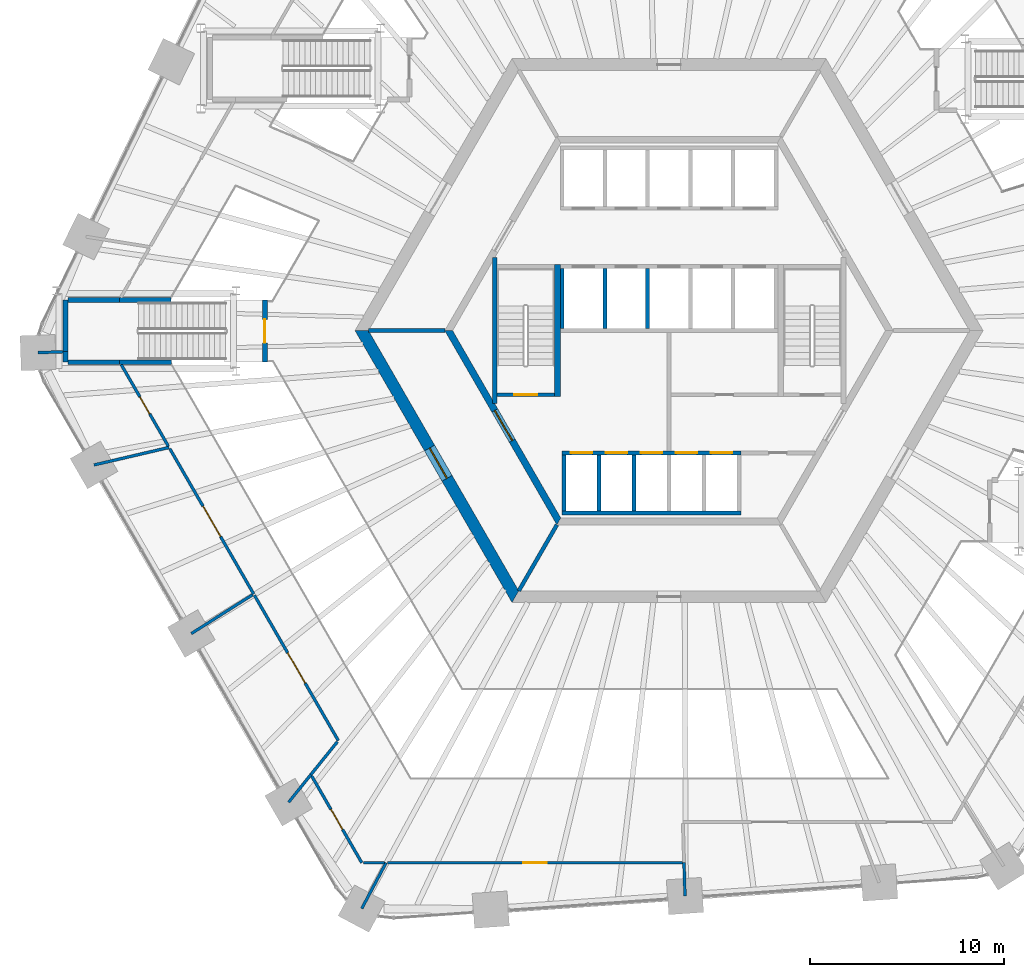
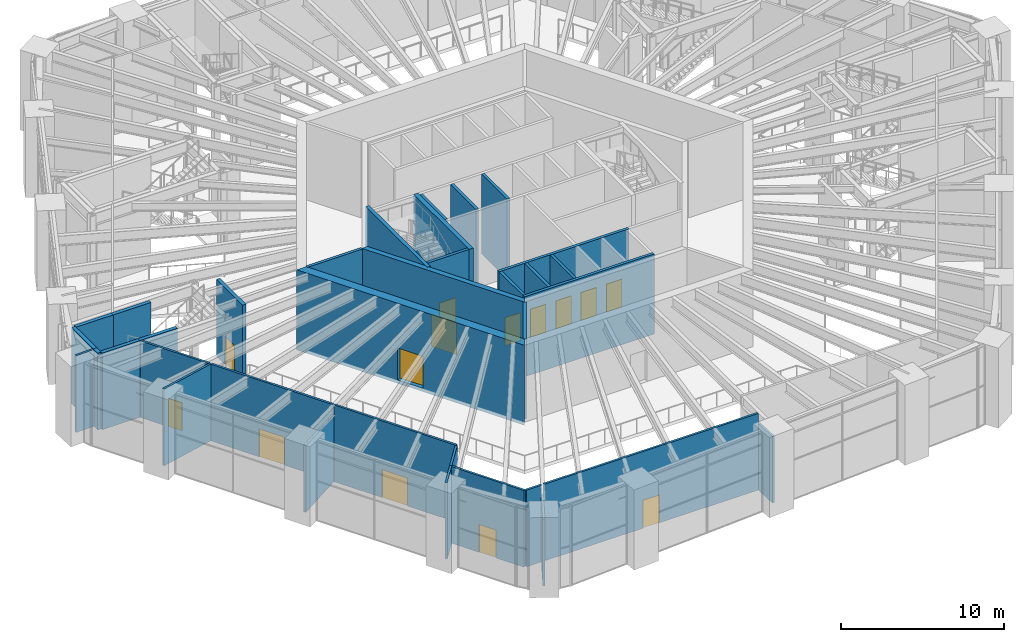
# One storey, part 21 of 32: 35 walls, 14 doors, 14 openings.
"""IFC4 building model written with IfcOpenShell, lengths in metres."""

from ifc_helpers import new_model, si_unit, direction, frame, frame_2d, origin, place, context, subcontext, project, spatial, polyline, rectangle, outline, extrude, material, layer, layer_set, type_object, element, fill, save


model = new_model("IFC4")

# Units and contexts
model_context = context("Model", 3, precision=1e-05, world=origin(), true_north=direction((0.0, 1.0)))
body_context = subcontext(model_context, "Body", "Model", "MODEL_VIEW")
ifc_project = project(units=[si_unit("LENGTHUNIT", "METRE"), si_unit("AREAUNIT", "SQUARE_METRE"), si_unit("VOLUMEUNIT", "CUBIC_METRE"), si_unit("PLANEANGLEUNIT", "RADIAN"), si_unit("MASSUNIT", "GRAM", prefix="KILO")], contexts=[model_context])

# Site, building, storey
site_placement = place(None, origin())
site = spatial("IfcSite", under=ifc_project, at=site_placement, CompositionType="ELEMENT")
building_placement = place(site_placement, origin())
building = spatial("IfcBuilding", under=site, at=building_placement, Name="Tarnside Tower", CompositionType="ELEMENT")
storey_placement = place(building_placement, frame((0.0, 0.0, 9.0)))
storey = spatial("IfcBuildingStorey", under=building, at=storey_placement, Name="L01", CompositionType="ELEMENT", Elevation=9.0)

# Wall, opening, door
ifc_material_1 = material(Name="Concrete C50/60", Category="concrete")
ifc_layer_1 = layer(ifc_material_1, 0.35009765625)
ifc_layer_set_1 = layer_set([ifc_layer_1], Name="Core block wall 350 C50/60")
wall_type_1 = type_object("IfcWallType", Name="Core block wall 350 C50/60", PredefinedType="SHEAR", material=ifc_layer_set_1)
wall_1_placement = place(storey_placement, frame((-11.344970703125, 0.0, -0.25), z_axis=(0.0, 0.0, 1.0), x_axis=(0.499995046907, -0.866028263435, 0.0)))
wall_1 = element("IfcWall", 1, at=wall_1_placement, inside=storey, type_object=wall_type_1, Name="L01 core block wall face 3", PredefinedType="SHEAR", context=body_context, shape_type="SweptSolid", body=[
    extrude(outline(polyline([(-0.10107421875, -0.175048828125), (11.44580078125, -0.175048828125), (11.24365234375, 0.175048828125), (0.10107421875, 0.175048828125), (-0.10107421875, -0.175048828125)])), origin(), (0.0, 0.0, 1.0), 6.0),
])
opening_1_placement = place(wall_1_placement, frame((4.74365234375, 0.0, 0.25)))
opening_1 = element("IfcOpeningElement", 2, at=opening_1_placement, cuts=wall_1, Name="Opening CD-FFL", PredefinedType="OPENING", context=body_context, shape_type="SweptSolid", body=[
    extrude(rectangle(XDim=1.800048828125, YDim=2.39990234375, at=frame_2d((0.89990234375, 1.199951171875))), frame((0.0, 0.18505859375, 0.0), z_axis=(0.0, -1.0, 0.0), x_axis=(1.0, 0.0, 0.0)), (0.0, 0.0, 1.0), 0.3701171875),
])
ifc_material_2 = material(Name="Steel fire door", Category="steel")
door_type_1 = type_object("IfcDoorType", Name="Firefighting lobby double door FD60S 1800x2400", OperationType="NOTDEFINED", PredefinedType="DOOR", material=ifc_material_2)
door_1_placement = place(opening_1_placement, origin())
door_1 = element("IfcDoor", 3, at=door_1_placement, inside=storey, type_object=door_type_1, Name="L01 lobby block door P3", OperationType="DOUBLE_DOOR_SINGLE_SWING", OverallHeight=2.39990234375, OverallWidth=1.800048828125, PredefinedType="DOOR", context=body_context, shape_type="SweptSolid", body=[
    extrude(rectangle(XDim=1.800048828125, YDim=2.39990234375, at=frame_2d((0.89990234375, 1.199951171875))), frame((0.0, 0.02490234375, 0.0), z_axis=(0.0, -1.0, 0.0), x_axis=(1.0, 0.0, 0.0)), (0.0, 0.0, 1.0), 0.050048828125),
])
fill(opening_1, door_1)

ifc_material_3 = material(Name="Concrete C80/95", Category="concrete")
ifc_layer_2 = layer(ifc_material_3, 0.60009765625)
ifc_layer_set_2 = layer_set([ifc_layer_2], Name="Core wall Z1 600 C80/95")
wall_type_2 = type_object("IfcWallType", Name="Core wall Z1 600 C80/95", PredefinedType="SHEAR", material=ifc_layer_set_2)
wall_2_placement = place(storey_placement, frame((-15.8193359375, 0.0, -0.25), z_axis=(0.0, 0.0, 1.0), x_axis=(0.499999880136, -0.866025472988, 0.0)))
wall_2 = element("IfcWall", 4, at=wall_2_placement, inside=storey, type_object=wall_type_2, Name="L01 core wall face 3", PredefinedType="SHEAR", context=body_context, shape_type="SweptSolid", body=[
    extrude(outline(polyline([(-0.17333984375, -0.300048828125), (15.99267578125, -0.300048828125), (15.64599609375, 0.300048828125), (0.17333984375, 0.300048828125), (-0.17333984375, -0.300048828125)])), origin(), (0.0, 0.0, 1.0), 6.0),
])
opening_2_placement = place(wall_2_placement, frame((6.980712890625, 0.0, 0.25)))
opening_2 = element("IfcOpeningElement", 5, at=opening_2_placement, cuts=wall_2, Name="Opening CD-FFL", PredefinedType="OPENING", context=body_context, shape_type="SweptSolid", body=[
    extrude(rectangle(XDim=1.800048828125, YDim=2.39990234375, at=frame_2d((0.89990234375, 1.199951171875))), frame((0.0, 0.31005859375, 0.0), z_axis=(0.0, -1.0, 0.0), x_axis=(1.0, 0.0, 0.0)), (0.0, 0.0, 1.0), 0.6201171875),
])
door_2_placement = place(opening_2_placement, origin())
door_2 = element("IfcDoor", 6, at=door_2_placement, inside=storey, type_object=door_type_1, Name="L01 core door P3", OperationType="DOUBLE_DOOR_SINGLE_SWING", OverallHeight=2.39990234375, OverallWidth=1.800048828125, PredefinedType="DOOR", context=body_context, shape_type="SweptSolid", body=[
    extrude(rectangle(XDim=1.800048828125, YDim=2.39990234375, at=frame_2d((0.89990234375, 1.199951171875))), frame((0.0, 0.02490234375, 0.0), z_axis=(0.0, -1.0, 0.0), x_axis=(1.0, 0.0, 0.0)), (0.0, 0.0, 1.0), 0.050048828125),
])
fill(opening_2, door_2)

# Walls
ifc_material_4 = material(Name="Concrete C40/50", Category="concrete")
ifc_layer_3 = layer(ifc_material_4, 0.199951171875)
ifc_layer_set_3 = layer_set([ifc_layer_3], Name="Lift shaft wall 200 C40/50")
wall_type_3 = type_object("IfcWallType", Name="Lift shaft wall 200 C40/50", PredefinedType="SHEAR", material=ifc_layer_set_3)
for number, where, z_axis, x_axis, name in (
    (7, (-5.5, 0.10009765625, -0.25), (0.0, 0.0, 1.0), (0.0, 1.0, 0.0), "L01 lift shaft partition R21"),
    (8, (-3.300048828125, 0.10009765625, -0.25), (0.0, 0.0, 1.0), (0.0, 1.0, 0.0), "L01 lift shaft partition R22"),
    (9, (-1.10009765625, 0.10009765625, -0.25), (0.0, 0.0, 1.0), (0.0, 1.0, 0.0), "L01 lift shaft partition R23"),
):
    element("IfcWall", number, at=place(storey_placement, frame(where, z_axis=z_axis, x_axis=x_axis)), inside=storey, type_object=wall_type_3, Name=name, PredefinedType="SHEAR", context=body_context, shape_type="SweptSolid", body=[
        extrude(rectangle(XDim=3.099853515625, YDim=0.199951171875, at=frame_2d((1.5498046875, 0.0))), origin(), (0.0, 0.0, 1.0), 6.0),
    ])

# Wall, openings, doors
wall_3_placement = place(storey_placement, frame((-5.5, -6.300048828125, -0.25), z_axis=(0.0, 0.0, 1.0), x_axis=(1.0, 0.0, 0.0)))
wall_3 = element("IfcWall", 10, at=wall_3_placement, inside=storey, type_object=wall_type_3, Name="L01 lift shaft front wall R4", PredefinedType="SHEAR", context=body_context, shape_type="SweptSolid", body=[
    extrude(rectangle(XDim=9.199951171875, YDim=0.199951171875, at=frame_2d((4.60009765625, 0.0))), origin(), (0.0, 0.0, 1.0), 6.0),
])
opening_3_placement = place(wall_3_placement, frame((0.449951171875, 0.0, 0.25)))
opening_3 = element("IfcOpeningElement", 11, at=opening_3_placement, cuts=wall_3, Name="Opening LDF", PredefinedType="OPENING", context=body_context, shape_type="SweptSolid", body=[
    extrude(rectangle(XDim=1.10009765625, YDim=2.10009765625, at=frame_2d((0.550048828125, 1.050048828125))), frame((0.0, 0.10986328125, 0.0), z_axis=(0.0, -1.0, 0.0), x_axis=(1.0, 0.0, 0.0)), (0.0, 0.0, 1.0), 0.219970703125),
])
opening_4_placement = place(wall_3_placement, frame((2.25, 0.0, 0.25)))
opening_4 = element("IfcOpeningElement", 12, at=opening_4_placement, cuts=wall_3, Name="Opening LDF", PredefinedType="OPENING", context=body_context, shape_type="SweptSolid", body=[
    extrude(rectangle(XDim=1.10009765625, YDim=2.10009765625, at=frame_2d((0.550048828125, 1.050048828125))), frame((0.0, 0.10986328125, 0.0), z_axis=(0.0, -1.0, 0.0), x_axis=(1.0, 0.0, 0.0)), (0.0, 0.0, 1.0), 0.219970703125),
])
opening_5_placement = place(wall_3_placement, frame((4.050048828125, 0.0, 0.25)))
opening_5 = element("IfcOpeningElement", 13, at=opening_5_placement, cuts=wall_3, Name="Opening LDF", PredefinedType="OPENING", context=body_context, shape_type="SweptSolid", body=[
    extrude(rectangle(XDim=1.10009765625, YDim=2.10009765625, at=frame_2d((0.550048828125, 1.050048828125))), frame((0.0, 0.10986328125, 0.0), z_axis=(0.0, -1.0, 0.0), x_axis=(1.0, 0.0, 0.0)), (0.0, 0.0, 1.0), 0.219970703125),
])
opening_6_placement = place(wall_3_placement, frame((5.85009765625, 0.0, 0.25)))
opening_6 = element("IfcOpeningElement", 14, at=opening_6_placement, cuts=wall_3, Name="Opening LDF", PredefinedType="OPENING", context=body_context, shape_type="SweptSolid", body=[
    extrude(rectangle(XDim=1.10009765625, YDim=2.10009765625, at=frame_2d((0.550048828125, 1.050048828125))), frame((0.0, 0.10986328125, 0.0), z_axis=(0.0, -1.0, 0.0), x_axis=(1.0, 0.0, 0.0)), (0.0, 0.0, 1.0), 0.219970703125),
])
opening_7_placement = place(wall_3_placement, frame((7.64990234375, 0.0, 0.25)))
opening_7 = element("IfcOpeningElement", 15, at=opening_7_placement, cuts=wall_3, Name="Opening LDF", PredefinedType="OPENING", context=body_context, shape_type="SweptSolid", body=[
    extrude(rectangle(XDim=1.10009765625, YDim=2.10009765625, at=frame_2d((0.550048828125, 1.050048828125))), frame((0.0, 0.10986328125, 0.0), z_axis=(0.0, -1.0, 0.0), x_axis=(1.0, 0.0, 0.0)), (0.0, 0.0, 1.0), 0.219970703125),
])
ifc_material_5 = material(Name="Stainless steel", Category="steel")
door_type_2 = type_object("IfcDoorType", Name="Lift landing door 1100x2100 EI 120", OperationType="NOTDEFINED", PredefinedType="DOOR", material=ifc_material_5)
door_3_placement = place(opening_3_placement, origin())
door_3 = element("IfcDoor", 16, at=door_3_placement, inside=storey, type_object=door_type_2, Name="Firefighting lift 1 landing door L01", OperationType="SLIDING_TO_LEFT", OverallHeight=2.10009765625, OverallWidth=1.10009765625, PredefinedType="DOOR", context=body_context, shape_type="SweptSolid", body=[
    extrude(rectangle(XDim=1.10009765625, YDim=2.10009765625, at=frame_2d((0.550048828125, 1.050048828125))), frame((0.0, 0.02490234375, 0.0), z_axis=(0.0, -1.0, 0.0), x_axis=(1.0, 0.0, 0.0)), (0.0, 0.0, 1.0), 0.050048828125),
])
fill(opening_3, door_3)
door_4_placement = place(opening_4_placement, origin())
door_4 = element("IfcDoor", 17, at=door_4_placement, inside=storey, type_object=door_type_2, Name="Firefighting lift 2 landing door L01", OperationType="SLIDING_TO_LEFT", OverallHeight=2.10009765625, OverallWidth=1.10009765625, PredefinedType="DOOR", context=body_context, shape_type="SweptSolid", body=[
    extrude(rectangle(XDim=1.10009765625, YDim=2.10009765625, at=frame_2d((0.550048828125, 1.050048828125))), frame((0.0, 0.02490234375, 0.0), z_axis=(0.0, -1.0, 0.0), x_axis=(1.0, 0.0, 0.0)), (0.0, 0.0, 1.0), 0.050048828125),
])
fill(opening_4, door_4)
door_5_placement = place(opening_5_placement, origin())
door_5 = element("IfcDoor", 18, at=door_5_placement, inside=storey, type_object=door_type_2, Name="Firefighting lift 3 landing door L01", OperationType="SLIDING_TO_LEFT", OverallHeight=2.10009765625, OverallWidth=1.10009765625, PredefinedType="DOOR", context=body_context, shape_type="SweptSolid", body=[
    extrude(rectangle(XDim=1.10009765625, YDim=2.10009765625, at=frame_2d((0.550048828125, 1.050048828125))), frame((0.0, 0.02490234375, 0.0), z_axis=(0.0, -1.0, 0.0), x_axis=(1.0, 0.0, 0.0)), (0.0, 0.0, 1.0), 0.050048828125),
])
fill(opening_5, door_5)
door_6_placement = place(opening_6_placement, origin())
door_6 = element("IfcDoor", 19, at=door_6_placement, inside=storey, type_object=door_type_2, Name="Firefighting lift 4 landing door L01", OperationType="SLIDING_TO_LEFT", OverallHeight=2.10009765625, OverallWidth=1.10009765625, PredefinedType="DOOR", context=body_context, shape_type="SweptSolid", body=[
    extrude(rectangle(XDim=1.10009765625, YDim=2.10009765625, at=frame_2d((0.550048828125, 1.050048828125))), frame((0.0, 0.02490234375, 0.0), z_axis=(0.0, -1.0, 0.0), x_axis=(1.0, 0.0, 0.0)), (0.0, 0.0, 1.0), 0.050048828125),
])
fill(opening_6, door_6)
door_7_placement = place(opening_7_placement, origin())
door_7 = element("IfcDoor", 20, at=door_7_placement, inside=storey, type_object=door_type_2, Name="Firefighting lift 5 landing door L01", OperationType="SLIDING_TO_LEFT", OverallHeight=2.10009765625, OverallWidth=1.10009765625, PredefinedType="DOOR", context=body_context, shape_type="SweptSolid", body=[
    extrude(rectangle(XDim=1.10009765625, YDim=2.10009765625, at=frame_2d((0.550048828125, 1.050048828125))), frame((0.0, 0.02490234375, 0.0), z_axis=(0.0, -1.0, 0.0), x_axis=(1.0, 0.0, 0.0)), (0.0, 0.0, 1.0), 0.050048828125),
])
fill(opening_7, door_7)

# Walls
wall_4_placement = place(storey_placement, frame((-5.5, -9.39990234375, -0.25), z_axis=(0.0, 0.0, 1.0), x_axis=(1.0, 0.0, 0.0)))
element("IfcWall", 21, at=wall_4_placement, inside=storey, type_object=wall_type_3, Name="L01 lift shaft back wall R4", PredefinedType="SHEAR", context=body_context, shape_type="SweptSolid", body=[
    extrude(rectangle(XDim=9.199951171875, YDim=0.199951171875, at=frame_2d((4.60009765625, 0.0))), origin(), (0.0, 0.0, 1.0), 6.0),
])
for number, where, z_axis, x_axis, name in (
    (22, (-5.39990234375, -9.300048828125, -0.25), (0.0, 0.0, 1.0), (0.0, 1.0, 0.0), "L01 lift shaft partition R41"),
    (23, (-3.60009765625, -9.300048828125, -0.25), (0.0, 0.0, 1.0), (0.0, 1.0, 0.0), "L01 lift shaft partition R42"),
    (24, (-1.800048828125, -9.300048828125, -0.25), (0.0, 0.0, 1.0), (0.0, 1.0, 0.0), "L01 lift shaft partition R43"),
):
    element("IfcWall", number, at=place(storey_placement, frame(where, z_axis=z_axis, x_axis=x_axis)), inside=storey, type_object=wall_type_3, Name=name, PredefinedType="SHEAR", context=body_context, shape_type="SweptSolid", body=[
        extrude(rectangle(XDim=2.900146484375, YDim=0.199951171875, at=frame_2d((1.4501953125, 0.0))), origin(), (0.0, 0.0, 1.0), 6.0),
    ])
wall_5_placement = place(storey_placement, frame((-11.547119140625, 0.0, -0.25), z_axis=(0.0, 0.0, 1.0), x_axis=(-1.0, 0.0, 0.0)))
element("IfcWall", 25, at=wall_5_placement, inside=storey, type_object=wall_type_3, Name="L01 core partition AR180", PredefinedType="SHEAR", context=body_context, shape_type="SweptSolid", body=[
    extrude(rectangle(XDim=3.92578125, YDim=0.199951171875, at=frame_2d((1.962890625, 0.0))), origin(), (0.0, 0.0, 1.0), 6.0),
])
wall_6_placement = place(storey_placement, frame((-5.7734375, -10.0, -0.25), z_axis=(0.0, 0.0, 1.0), x_axis=(-0.500038251005, -0.86600331843, 0.0)))
element("IfcWall", 26, at=wall_6_placement, inside=storey, type_object=wall_type_3, Name="L01 core partition AR240", PredefinedType="SHEAR", context=body_context, shape_type="SweptSolid", body=[
    extrude(rectangle(XDim=3.926025390625, YDim=0.199951171875, at=frame_2d((1.962890625, 0.0))), origin(), (0.0, 0.0, 1.0), 6.0),
])

# Wall, opening, door
wall_7_placement = place(storey_placement, frame((-8.85009765625, -3.300048828125, -0.25), z_axis=(0.0, 0.0, 1.0), x_axis=(1.0, 0.0, 0.0)))
wall_7 = element("IfcWall", 27, at=wall_7_placement, inside=storey, type_object=wall_type_3, Name="L01 stair 2 enclosure cap wall s", PredefinedType="SHEAR", context=body_context, shape_type="SweptSolid", body=[
    extrude(rectangle(XDim=2.9501953125, YDim=0.199951171875, at=frame_2d((1.47509765625, 0.0))), origin(), (0.0, 0.0, 1.0), 6.0),
])
opening_8_placement = place(wall_7_placement, frame((0.875, 0.0, 0.25)))
opening_8 = element("IfcOpeningElement", 28, at=opening_8_placement, cuts=wall_7, Name="Opening CD-STR", PredefinedType="OPENING", context=body_context, shape_type="SweptSolid", body=[
    extrude(rectangle(XDim=1.199951171875, YDim=2.39990234375, at=frame_2d((0.60009765625, 1.199951171875))), frame((0.0, 0.10986328125, 0.0), z_axis=(0.0, -1.0, 0.0), x_axis=(1.0, 0.0, 0.0)), (0.0, 0.0, 1.0), 0.219970703125),
])
door_type_3 = type_object("IfcDoorType", Name="Stair door FD60S 1200x2400", OperationType="NOTDEFINED", PredefinedType="DOOR", material=ifc_material_2)
door_8_placement = place(opening_8_placement, origin())
door_8 = element("IfcDoor", 29, at=door_8_placement, inside=storey, type_object=door_type_3, Name="L01 stair 2 door", OperationType="SINGLE_SWING_LEFT", OverallHeight=2.39990234375, OverallWidth=1.199951171875, PredefinedType="DOOR", context=body_context, shape_type="SweptSolid", body=[
    extrude(rectangle(XDim=1.199951171875, YDim=2.39990234375, at=frame_2d((0.60009765625, 1.199951171875))), frame((0.0, 0.02490234375, 0.0), z_axis=(0.0, -1.0, 0.0), x_axis=(1.0, 0.0, 0.0)), (0.0, 0.0, 1.0), 0.050048828125),
])
fill(opening_8, door_8)

# Walls
ifc_material_6 = material(Name="Gypsum board")
ifc_layer_4 = layer(ifc_material_6, 0.14990234375)
ifc_layer_set_4 = layer_set([ifc_layer_4], Name="Partition 150 gypsum board on metal stud")
wall_type_4 = type_object("IfcWallType", Name="Partition 150 gypsum board on metal stud", PredefinedType="PARTITIONING", material=ifc_layer_set_4)
wall_8_placement = place(storey_placement, frame((-32.486083984375, -1.134033203125, 0.0), z_axis=(0.0, 0.0, 1.0), x_axis=(0.99939717978, 0.034717100209, 0.0)))
element("IfcWall", 30, at=wall_8_placement, inside=storey, type_object=wall_type_4, Name="Partition 000", PredefinedType="PARTITIONING", context=body_context, shape_type="SweptSolid", body=[
    extrude(rectangle(XDim=1.286865234375, YDim=0.14990234375, at=frame_2d((0.6435546875, 0.0))), origin(), (0.0, 0.0, 1.0), 5.75),
])
wall_9_placement = place(storey_placement, frame((-29.60791015625, -6.91796875, 0.0), z_axis=(0.0, 0.0, 1.0), x_axis=(0.97379720247, 0.227418135737, 0.0)))
element("IfcWall", 31, at=wall_9_placement, inside=storey, type_object=wall_type_4, Name="Partition 005", PredefinedType="PARTITIONING", context=body_context, shape_type="SweptSolid", body=[
    extrude(rectangle(XDim=3.970947265625, YDim=0.14990234375, at=frame_2d((1.9853515625, 0.0))), origin(), (0.0, 0.0, 1.0), 5.75),
])

# Wall, opening, door
wall_10_placement = place(storey_placement, frame((-25.7802734375, -5.947021484375, 0.0), z_axis=(0.0, 0.0, 1.0), x_axis=(-0.500066928074, 0.865986759395, 0.0)))
wall_10 = element("IfcWall", 32, at=wall_10_placement, inside=storey, type_object=wall_type_4, Name="Partition 007", PredefinedType="PARTITIONING", context=body_context, shape_type="SweptSolid", body=[
    extrude(rectangle(XDim=4.846435546875, YDim=0.14990234375, at=frame_2d((2.42333984375, 0.0))), origin(), (0.0, 0.0, 1.0), 5.75),
])
opening_9_placement = place(wall_10_placement, frame((1.92333984375, 0.0, 0.0)))
opening_9 = element("IfcOpeningElement", 33, at=opening_9_placement, cuts=wall_10, Name="Opening D1000", PredefinedType="OPENING", context=body_context, shape_type="SweptSolid", body=[
    extrude(rectangle(XDim=1.0, YDim=2.10009765625, at=frame_2d((0.5, 1.050048828125))), frame((0.0, 0.0849609375, 0.0), z_axis=(0.0, -1.0, 0.0), x_axis=(1.0, 0.0, 0.0)), (0.0, 0.0, 1.0), 0.169921875),
])
ifc_material_7 = material(Name="Timber door leaf", Category="wood")
door_type_4 = type_object("IfcDoorType", Name="Door 1000 x 2100 single leaf", OperationType="NOTDEFINED", PredefinedType="DOOR", material=ifc_material_7)
door_9_placement = place(opening_9_placement, origin())
door_9 = element("IfcDoor", 34, at=door_9_placement, inside=storey, type_object=door_type_4, Name="Door L01-01", OperationType="SINGLE_SWING_RIGHT", OverallHeight=2.10009765625, OverallWidth=1.0, PredefinedType="DOOR", context=body_context, shape_type="SweptSolid", body=[
    extrude(rectangle(XDim=1.0, YDim=2.10009765625, at=frame_2d((0.5, 1.050048828125))), frame((0.0, 0.02490234375, 0.0), z_axis=(0.0, -1.0, 0.0), x_axis=(1.0, 0.0, 0.0)), (0.0, 0.0, 1.0), 0.050048828125),
])
fill(opening_9, door_9)

wall_11_placement = place(storey_placement, frame((-21.384033203125, -13.56201171875, 0.0), z_axis=(0.0, 0.0, 1.0), x_axis=(-0.499976136806, 0.866039180768, 0.0)))
wall_11 = element("IfcWall", 35, at=wall_11_placement, inside=storey, type_object=wall_type_4, Name="Partition 010", PredefinedType="PARTITIONING", context=body_context, shape_type="SweptSolid", body=[
    extrude(rectangle(XDim=8.63623046875, YDim=0.14990234375, at=frame_2d((4.318115234375, 0.0))), origin(), (0.0, 0.0, 1.0), 5.75),
])
opening_10_placement = place(wall_11_placement, frame((3.41796875, 0.0, 0.0)))
opening_10 = element("IfcOpeningElement", 36, at=opening_10_placement, cuts=wall_11, Name="Opening D1800F30", PredefinedType="OPENING", context=body_context, shape_type="SweptSolid", body=[
    extrude(rectangle(XDim=1.800048828125, YDim=2.10009765625, at=frame_2d((0.89990234375, 1.050048828125))), frame((0.0, 0.0849609375, 0.0), z_axis=(0.0, -1.0, 0.0), x_axis=(1.0, 0.0, 0.0)), (0.0, 0.0, 1.0), 0.169921875),
])
door_type_5 = type_object("IfcDoorType", Name="Door pair 1800 x 2100 FD30S fire door", OperationType="NOTDEFINED", PredefinedType="DOOR", material=ifc_material_7)
door_10_placement = place(opening_10_placement, origin())
door_10 = element("IfcDoor", 37, at=door_10_placement, inside=storey, type_object=door_type_5, Name="Door L01-03", OperationType="DOUBLE_DOOR_SINGLE_SWING", OverallHeight=2.10009765625, OverallWidth=1.800048828125, PredefinedType="DOOR", context=body_context, shape_type="SweptSolid", body=[
    extrude(rectangle(XDim=1.800048828125, YDim=2.10009765625, at=frame_2d((0.89990234375, 1.050048828125))), frame((0.0, 0.02490234375, 0.0), z_axis=(0.0, -1.0, 0.0), x_axis=(1.0, 0.0, 0.0)), (0.0, 0.0, 1.0), 0.050048828125),
])
fill(opening_10, door_10)

# Wall
wall_12_placement = place(storey_placement, frame((-24.595947265625, -15.59912109375, 0.0), z_axis=(0.0, 0.0, 1.0), x_axis=(0.84447751604, 0.535591005249, 0.0)))
element("IfcWall", 38, at=wall_12_placement, inside=storey, type_object=wall_type_4, Name="Partition 012", PredefinedType="PARTITIONING", context=body_context, shape_type="SweptSolid", body=[
    extrude(rectangle(XDim=3.728271484375, YDim=0.14990234375, at=frame_2d((1.8642578125, 0.0))), origin(), (0.0, 0.0, 1.0), 4.99609375),
])

# Wall, opening, door
wall_13_placement = place(storey_placement, frame((-17.027099609375, -21.10888671875, 0.0), z_axis=(0.0, 0.0, 1.0), x_axis=(-0.499968708895, 0.866043468958, 0.0)))
wall_13 = element("IfcWall", 39, at=wall_13_placement, inside=storey, type_object=wall_type_4, Name="Partition 017", PredefinedType="PARTITIONING", context=body_context, shape_type="SweptSolid", body=[
    extrude(rectangle(XDim=8.63916015625, YDim=0.14990234375, at=frame_2d((4.319580078125, 0.0))), origin(), (0.0, 0.0, 1.0), 5.75),
])
opening_11_placement = place(wall_13_placement, frame((3.419677734375, 0.0, 0.0)))
opening_11 = element("IfcOpeningElement", 40, at=opening_11_placement, cuts=wall_13, Name="Opening D1800F30", PredefinedType="OPENING", context=body_context, shape_type="SweptSolid", body=[
    extrude(rectangle(XDim=1.800048828125, YDim=2.10009765625, at=frame_2d((0.89990234375, 1.050048828125))), frame((0.0, 0.0849609375, 0.0), z_axis=(0.0, -1.0, 0.0), x_axis=(1.0, 0.0, 0.0)), (0.0, 0.0, 1.0), 0.169921875),
])
door_11_placement = place(opening_11_placement, origin())
door_11 = element("IfcDoor", 41, at=door_11_placement, inside=storey, type_object=door_type_5, Name="Door L01-05", OperationType="DOUBLE_DOOR_SINGLE_SWING", OverallHeight=2.10009765625, OverallWidth=1.800048828125, PredefinedType="DOOR", context=body_context, shape_type="SweptSolid", body=[
    extrude(rectangle(XDim=1.800048828125, YDim=2.10009765625, at=frame_2d((0.89990234375, 1.050048828125))), frame((0.0, 0.02490234375, 0.0), z_axis=(0.0, -1.0, 0.0), x_axis=(1.0, 0.0, 0.0)), (0.0, 0.0, 1.0), 0.050048828125),
])
fill(opening_11, door_11)

# Wall
wall_14_placement = place(storey_placement, frame((-19.583984375, -24.280029296875, 0.0), z_axis=(0.0, 0.0, 1.0), x_axis=(0.627663432336, 0.778484820474, 0.0)))
element("IfcWall", 42, at=wall_14_placement, inside=storey, type_object=wall_type_4, Name="Partition 023", PredefinedType="PARTITIONING", context=body_context, shape_type="SweptSolid", body=[
    extrude(rectangle(XDim=1.82275390625, YDim=0.14990234375, at=frame_2d((0.911376953125, 0.0))), origin(), (0.0, 0.0, 1.0), 5.75),
])

# Wall, opening, door
wall_15_placement = place(storey_placement, frame((-15.819091796875, -27.39990234375, 0.0), z_axis=(0.0, 0.0, 1.0), x_axis=(-0.500071878781, 0.865983900574, 0.0)))
wall_15 = element("IfcWall", 43, at=wall_15_placement, inside=storey, type_object=wall_type_4, Name="Partition 024", PredefinedType="PARTITIONING", context=body_context, shape_type="SweptSolid", body=[
    extrude(rectangle(XDim=5.160888671875, YDim=0.14990234375, at=frame_2d((2.58056640625, 0.0))), origin(), (0.0, 0.0, 1.0), 5.75),
])
opening_12_placement = place(wall_15_placement, frame((1.98046875, 0.0, 0.0)))
opening_12 = element("IfcOpeningElement", 44, at=opening_12_placement, cuts=wall_15, Name="Opening D1200F30", PredefinedType="OPENING", context=body_context, shape_type="SweptSolid", body=[
    extrude(rectangle(XDim=1.199951171875, YDim=2.10009765625, at=frame_2d((0.60009765625, 1.050048828125))), frame((0.0, 0.0849609375, 0.0), z_axis=(0.0, -1.0, 0.0), x_axis=(1.0, 0.0, 0.0)), (0.0, 0.0, 1.0), 0.169921875),
])
door_type_6 = type_object("IfcDoorType", Name="Door 1200 x 2100 single leaf FD30S fire door", OperationType="NOTDEFINED", PredefinedType="DOOR", material=ifc_material_7)
door_12_placement = place(opening_12_placement, origin())
door_12 = element("IfcDoor", 45, at=door_12_placement, inside=storey, type_object=door_type_6, Name="Door L01-07", OperationType="SINGLE_SWING_RIGHT", OverallHeight=2.10009765625, OverallWidth=1.199951171875, PredefinedType="DOOR", context=body_context, shape_type="SweptSolid", body=[
    extrude(rectangle(XDim=1.199951171875, YDim=2.10009765625, at=frame_2d((0.60009765625, 1.050048828125))), frame((0.0, 0.02490234375, 0.0), z_axis=(0.0, -1.0, 0.0), x_axis=(1.0, 0.0, 0.0)), (0.0, 0.0, 1.0), 0.050048828125),
])
fill(opening_12, door_12)

# Walls
wall_16_placement = place(storey_placement, frame((-17.077392578125, -21.171630859375, 0.0), z_axis=(0.0, 0.0, 1.0), x_axis=(-0.627993102959, -0.778218904059, 0.0)))
element("IfcWall", 46, at=wall_16_placement, inside=storey, type_object=wall_type_4, Name="Partition 027", PredefinedType="PARTITIONING", context=body_context, shape_type="SweptSolid", body=[
    extrude(rectangle(XDim=2.180908203125, YDim=0.14990234375, at=frame_2d((1.09033203125, 0.0))), origin(), (0.0, 0.0, 1.0), 5.75),
])
wall_17_placement = place(storey_placement, frame((-15.823974609375, -29.760009765625, 0.0), z_axis=(0.0, 0.0, 1.0), x_axis=(0.469469065188, 0.882948920851, 0.0)))
element("IfcWall", 47, at=wall_17_placement, inside=storey, type_object=wall_type_4, Name="Partition 029", PredefinedType="PARTITIONING", context=body_context, shape_type="SweptSolid", body=[
    extrude(rectangle(XDim=2.673095703125, YDim=0.14990234375, at=frame_2d((1.33642578125, 0.0))), origin(), (0.0, 0.0, 1.0), 4.98779296875),
])
wall_18_placement = place(storey_placement, frame((-15.732421875, -27.39990234375, 0.0), z_axis=(0.0, 0.0, 1.0), x_axis=(1.0, 0.0, 0.0)))
element("IfcWall", 48, at=wall_18_placement, inside=storey, type_object=wall_type_4, Name="Partition 030", PredefinedType="PARTITIONING", context=body_context, shape_type="SweptSolid", body=[
    extrude(rectangle(XDim=1.078369140625, YDim=0.14990234375, at=frame_2d((0.5390625, 0.0))), origin(), (0.0, 0.0, 1.0), 5.75),
])

# Wall, opening, door
wall_19_placement = place(storey_placement, frame((0.697998046875, -27.39990234375, 0.0), z_axis=(0.0, 0.0, 1.0), x_axis=(-1.0, 0.0, 0.0)))
wall_19 = element("IfcWall", 49, at=wall_19_placement, inside=storey, type_object=wall_type_4, Name="Partition 033", PredefinedType="PARTITIONING", context=body_context, shape_type="SweptSolid", body=[
    extrude(rectangle(XDim=15.18212890625, YDim=0.14990234375, at=frame_2d((7.591064453125, 0.0))), origin(), (0.0, 0.0, 1.0), 5.75),
])
opening_13_placement = place(wall_19_placement, frame((6.990966796875, 0.0, 0.0)))
opening_13 = element("IfcOpeningElement", 50, at=opening_13_placement, cuts=wall_19, Name="Opening D1200F30", PredefinedType="OPENING", context=body_context, shape_type="SweptSolid", body=[
    extrude(rectangle(XDim=1.199951171875, YDim=2.10009765625, at=frame_2d((0.60009765625, 1.050048828125))), frame((0.0, 0.0849609375, 0.0), z_axis=(0.0, -1.0, 0.0), x_axis=(1.0, 0.0, 0.0)), (0.0, 0.0, 1.0), 0.169921875),
])
door_13_placement = place(opening_13_placement, origin())
door_13 = element("IfcDoor", 51, at=door_13_placement, inside=storey, type_object=door_type_6, Name="Door L01-10", OperationType="SINGLE_SWING_LEFT", OverallHeight=2.10009765625, OverallWidth=1.199951171875, PredefinedType="DOOR", context=body_context, shape_type="SweptSolid", body=[
    extrude(rectangle(XDim=1.199951171875, YDim=2.10009765625, at=frame_2d((0.60009765625, 1.050048828125))), frame((0.0, 0.02490234375, 0.0), z_axis=(0.0, -1.0, 0.0), x_axis=(1.0, 0.0, 0.0)), (0.0, 0.0, 1.0), 0.050048828125),
])
fill(opening_13, door_13)

# Walls
wall_20_placement = place(storey_placement, frame((0.822021484375, -29.114013671875, 0.0), z_axis=(0.0, 0.0, 1.0), x_axis=(-0.028450670454, 0.999595197743, 0.0)))
element("IfcWall", 52, at=wall_20_placement, inside=storey, type_object=wall_type_4, Name="Partition 049", PredefinedType="PARTITIONING", context=body_context, shape_type="SweptSolid", body=[
    extrude(rectangle(XDim=1.724853515625, YDim=0.14990234375, at=frame_2d((0.8623046875, 0.0))), origin(), (0.0, 0.0, 1.0), 4.99609375),
])
ifc_layer_5 = layer(ifc_material_4, 0.25)
ifc_layer_set_5 = layer_set([ifc_layer_5], Name="Stair enclosure wall 250 C40/50")
wall_type_5 = type_object("IfcWallType", Name="Stair enclosure wall 250 C40/50", PredefinedType="SHEAR", material=ifc_layer_set_5)
wall_21_placement = place(storey_placement, frame((-8.97509765625, -3.7548828125, -0.25), z_axis=(0.0, 0.0, 1.0), x_axis=(0.0, 1.0, 0.0)))
element("IfcWall", 53, at=wall_21_placement, inside=storey, type_object=wall_type_5, Name="L01 stair 2 enclosure wall outer", PredefinedType="SHEAR", context=body_context, shape_type="SweptSolid", body=[
    extrude(rectangle(XDim=7.509765625, YDim=0.25, at=frame_2d((3.7548828125, 0.0))), origin(), (0.0, 0.0, 1.0), 6.0),
])
ifc_layer_6 = layer(ifc_material_4, 0.300048828125)
ifc_layer_set_6 = layer_set([ifc_layer_6], Name="Stair enclosure wall 300 C40/50")
wall_type_6 = type_object("IfcWallType", Name="Stair enclosure wall 300 C40/50", PredefinedType="SHEAR", material=ifc_layer_set_6)
wall_22_placement = place(storey_placement, frame((-5.75, -3.39990234375, -0.25), z_axis=(0.0, 0.0, 1.0), x_axis=(0.0, 1.0, 0.0)))
element("IfcWall", 54, at=wall_22_placement, inside=storey, type_object=wall_type_6, Name="L01 stair 2 enclosure wall inner", PredefinedType="SHEAR", context=body_context, shape_type="SweptSolid", body=[
    extrude(rectangle(XDim=6.7998046875, YDim=0.300048828125, at=frame_2d((3.39990234375, 0.0))), origin(), (0.0, 0.0, 1.0), 6.0),
])
ifc_material_8 = material(Name="Concrete C32/40", Category="concrete")
ifc_layer_7 = layer(ifc_material_8, 0.25)
ifc_layer_set_7 = layer_set([ifc_layer_7], Name="Wall 250 reinforced Concrete C32/40")
wall_type_7 = type_object("IfcWallType", Name="Wall 250 reinforced Concrete C32/40", PredefinedType="PARTITIONING", material=ifc_layer_set_7)
wall_23_placement = place(storey_placement, frame((-31.074951171875, -1.625, 0.0), z_axis=(0.0, 0.0, 1.0), x_axis=(0.0, 1.0, 0.0)))
element("IfcWall", 55, at=wall_23_placement, inside=storey, type_object=wall_type_7, Name="Partition 001", PredefinedType="PARTITIONING", context=body_context, shape_type="SweptSolid", body=[
    extrude(rectangle(XDim=0.550048828125, YDim=0.25, at=frame_2d((0.27490234375, 0.0))), origin(), (0.0, 0.0, 1.0), 5.75),
])
wall_24_placement = place(storey_placement, frame((-31.074951171875, -1.094970703125, 0.0), z_axis=(0.0, 0.0, 1.0), x_axis=(0.0, 1.0, 0.0)))
element("IfcWall", 56, at=wall_24_placement, inside=storey, type_object=wall_type_7, Name="Partition 002", PredefinedType="PARTITIONING", context=body_context, shape_type="SweptSolid", body=[
    extrude(rectangle(XDim=2.669921875, YDim=0.25, at=frame_2d((1.3349609375, 0.0))), origin(), (0.0, 0.0, 1.0), 5.75),
])
wall_25_placement = place(storey_placement, frame((-30.949951171875, 1.574951171875, 0.0), z_axis=(0.0, 0.0, 1.0), x_axis=(1.0, 0.0, 0.0)))
element("IfcWall", 57, at=wall_25_placement, inside=storey, type_object=wall_type_7, Name="Partition 003", PredefinedType="PARTITIONING", context=body_context, shape_type="SweptSolid", body=[
    extrude(rectangle(XDim=2.656982421875, YDim=0.25, at=frame_2d((1.32861328125, 0.0))), origin(), (0.0, 0.0, 1.0), 5.75),
])
wall_26_placement = place(storey_placement, frame((-28.31494140625, 1.574951171875, 0.0), z_axis=(0.0, 0.0, 1.0), x_axis=(1.0, 0.0, 0.0)))
element("IfcWall", 58, at=wall_26_placement, inside=storey, type_object=wall_type_7, Name="Partition 006", PredefinedType="PARTITIONING", context=body_context, shape_type="SweptSolid", body=[
    extrude(rectangle(XDim=2.677978515625, YDim=0.25, at=frame_2d((1.3388671875, 0.0))), origin(), (0.0, 0.0, 1.0), 5.75),
])
wall_27_placement = place(storey_placement, frame((-28.263916015625, -1.625, 0.0), z_axis=(0.0, 0.0, 1.0), x_axis=(-1.0, 0.0, 0.0)))
element("IfcWall", 59, at=wall_27_placement, inside=storey, type_object=wall_type_7, Name="Partition 008", PredefinedType="PARTITIONING", context=body_context, shape_type="SweptSolid", body=[
    extrude(rectangle(XDim=2.68603515625, YDim=0.25, at=frame_2d((1.343017578125, 0.0))), origin(), (0.0, 0.0, 1.0), 5.75),
])
wall_28_placement = place(storey_placement, frame((-25.60791015625, -1.625, 0.0), z_axis=(0.0, 0.0, 1.0), x_axis=(-1.0, 0.0, 0.0)))
element("IfcWall", 60, at=wall_28_placement, inside=storey, type_object=wall_type_7, Name="Partition 011", PredefinedType="PARTITIONING", context=body_context, shape_type="SweptSolid", body=[
    extrude(rectangle(XDim=2.677978515625, YDim=0.25, at=frame_2d((1.3388671875, 0.0))), origin(), (0.0, 0.0, 1.0), 5.75),
])

# Wall, opening, door
wall_29_placement = place(storey_placement, frame((-20.804931640625, 1.574951171875, 0.0), z_axis=(0.0, 0.0, 1.0), x_axis=(0.0, -1.0, 0.0)))
wall_29 = element("IfcWall", 61, at=wall_29_placement, inside=storey, type_object=wall_type_7, Name="Partition 019", PredefinedType="PARTITIONING", context=body_context, shape_type="SweptSolid", body=[
    extrude(rectangle(XDim=3.199951171875, YDim=0.25, at=frame_2d((1.60009765625, 0.0))), origin(), (0.0, 0.0, 1.0), 5.75),
])
opening_14_placement = place(wall_29_placement, frame((1.0, 0.0, 0.0)))
opening_14 = element("IfcOpeningElement", 62, at=opening_14_placement, cuts=wall_29, Name="Opening D1200F60S", PredefinedType="OPENING", context=body_context, shape_type="SweptSolid", body=[
    extrude(rectangle(XDim=1.199951171875, YDim=2.10009765625, at=frame_2d((0.60009765625, 1.050048828125))), frame((0.0, 0.135009765625, 0.0), z_axis=(0.0, -1.0, 0.0), x_axis=(1.0, 0.0, 0.0)), (0.0, 0.0, 1.0), 0.27001953125),
])
door_type_7 = type_object("IfcDoorType", Name="Door 1200 x 2100 single leaf FD60S fire door", OperationType="NOTDEFINED", PredefinedType="DOOR", material=ifc_material_7)
door_14_placement = place(opening_14_placement, origin())
door_14 = element("IfcDoor", 63, at=door_14_placement, inside=storey, type_object=door_type_7, Name="Door L01-06", OperationType="SINGLE_SWING_LEFT", OverallHeight=2.10009765625, OverallWidth=1.199951171875, PredefinedType="DOOR", context=body_context, shape_type="SweptSolid", body=[
    extrude(rectangle(XDim=1.199951171875, YDim=2.10009765625, at=frame_2d((0.60009765625, 1.050048828125))), frame((0.0, 0.02490234375, 0.0), z_axis=(0.0, -1.0, 0.0), x_axis=(1.0, 0.0, 0.0)), (0.0, 0.0, 1.0), 0.050048828125),
])
fill(opening_14, door_14)

save(model, "model.ifc")
